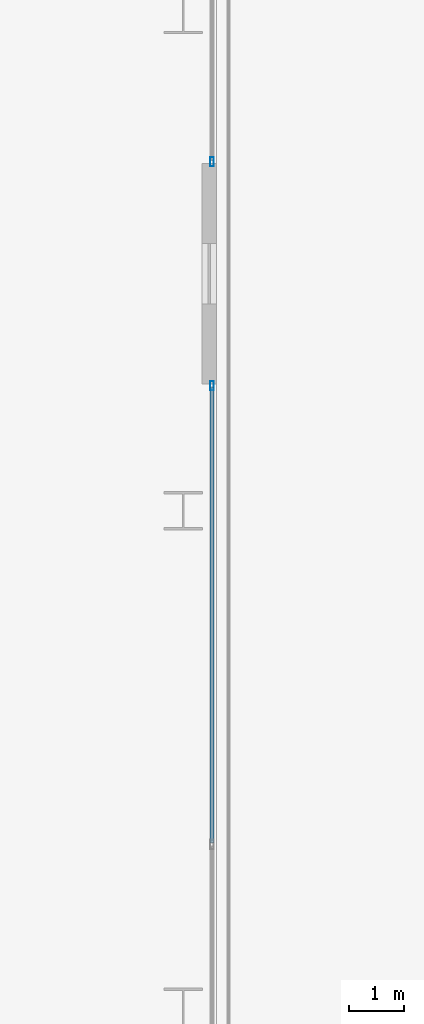
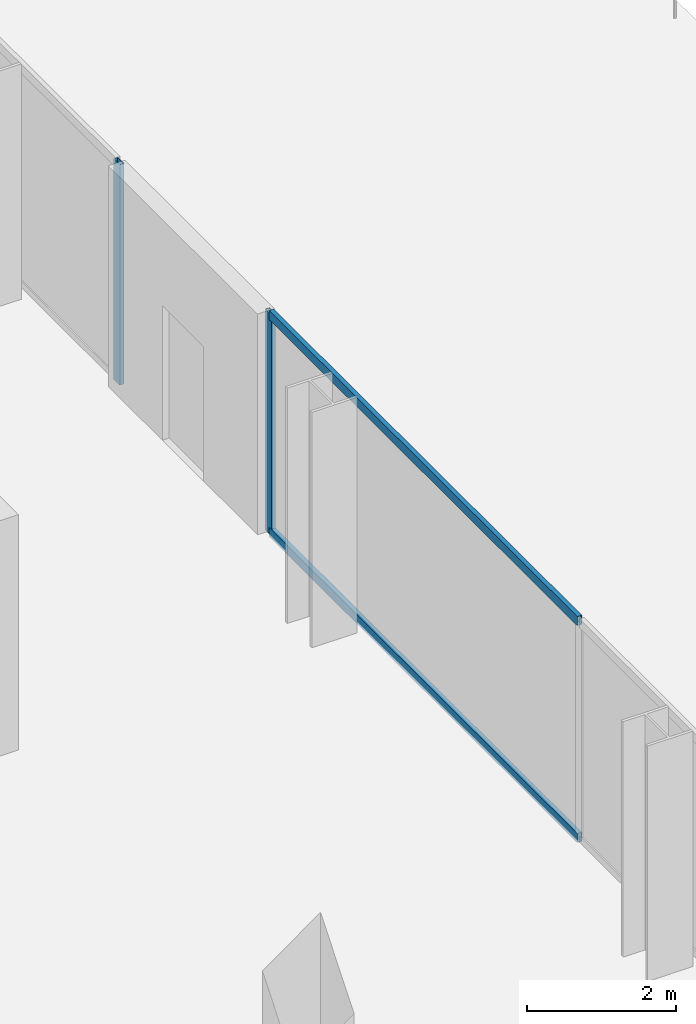
# One storey, part 19 of 31: 4 members, 2 elements without a shape of their own.
"""IFC4 building model written with IfcOpenShell, lengths in metres."""

from ifc_helpers import new_model, si_unit, direction, frame, origin, origin_2d, place, context, subcontext, project, spatial, hollow_rectangle, extrude, material, layer, layer_set, material_profile, profile_set, type_object, element, aggregate, save


model = new_model("IFC4")

# Units and contexts
model_context = context("Model", 3, precision=1e-05, world=origin(), true_north=direction((0.0, 1.0)))
body_context = subcontext(model_context, "Body", "Model", "MODEL_VIEW")
ifc_project = project(units=[si_unit("LENGTHUNIT", "METRE"), si_unit("AREAUNIT", "SQUARE_METRE"), si_unit("VOLUMEUNIT", "CUBIC_METRE"), si_unit("PLANEANGLEUNIT", "RADIAN"), si_unit("MASSUNIT", "GRAM", prefix="KILO")], contexts=[model_context])

# Site, building, storey
site_placement = place(None, origin())
site = spatial("IfcSite", under=ifc_project, at=site_placement, CompositionType="ELEMENT")
building_placement = place(site_placement, origin())
building = spatial("IfcBuilding", under=site, at=building_placement, Name="Maruvema Waterfront Hotel and Observation Tower", CompositionType="ELEMENT")
storey_placement = place(building_placement, frame((0.0, 0.0, 26.949951171875)))
storey = spatial("IfcBuildingStorey", under=building, at=storey_placement, Name="L05", CompositionType="ELEMENT", Elevation=26.949951171875)

# Curtain wall, members
ifc_material_1 = material(Name="Anodised bronze aluminium and solar-control low-E IGU", Category="aluminium")
ifc_layer = layer(ifc_material_1, 0.159912109375, Name="Zone 1 Bronze Inner Thermal Curtain Wall System CW-02")
ifc_layer_set = layer_set([ifc_layer], Name="Anodised bronze aluminium and solar-control low-E IGU")
curtain_wall_type = type_object("IfcCurtainWallType", Name="Zone 1 Bronze Inner Thermal Curtain Wall System CW-02", PredefinedType="USERDEFINED", material=ifc_layer_set)
curtain_wall_1_placement = place(storey_placement, origin())
curtain_wall_1 = element("IfcCurtainWall", 1, at=curtain_wall_1_placement, inside=storey, type_object=curtain_wall_type, Name="L05 Curtain Wall CW-L05-ES", ObjectType="UNITISED CURTAIN WALL", PredefinedType="USERDEFINED")
ifc_material_2 = material(Name="Anodised architectural bronze aluminium", Category="aluminium")
ifc_material_profile_1 = material_profile(ifc_material_2, hollow_rectangle(XDim=0.070068359375, YDim=0.14990234375, WallThickness=0.00390625, at=origin_2d()), Name="ALU-T70x150")
ifc_profile_set_1 = profile_set([ifc_material_profile_1], Name="Anodised architectural bronze aluminium")
member_type_1 = type_object("IfcMemberType", Name="Curtain Wall Horizontal Transom ALU-T70x150", PredefinedType="USERDEFINED", material=ifc_profile_set_1)
member_1_placement = place(storey_placement, frame((64.719970703125, 11.97998046875, 0.030029296875), z_axis=(0.0, 1.0, 0.0), x_axis=(-1.0, 0.0, 0.0)))
member_1 = element("IfcMember", 2, at=member_1_placement, type_object=member_type_1, Name="CW-02 transom 2.1", ObjectType="TRANSOM", PredefinedType="USERDEFINED", context=body_context, shape_type="SweptSolid", body=[
    extrude(hollow_rectangle(XDim=0.070068359375, YDim=0.14990234375, WallThickness=0.00390625, at=origin_2d()), origin(), (0.0, 0.0, 1.0), 8.260009765625),
])
member_2_placement = place(storey_placement, frame((64.719970703125, 11.97998046875, 3.580078125), z_axis=(0.0, 1.0, 0.0), x_axis=(-1.0, 0.0, 0.0)))
member_2 = element("IfcMember", 3, at=member_2_placement, type_object=member_type_1, Name="CW-02 transom 2.2", ObjectType="TRANSOM", PredefinedType="USERDEFINED", context=body_context, shape_type="SweptSolid", body=[
    extrude(hollow_rectangle(XDim=0.070068359375, YDim=0.14990234375, WallThickness=0.00390625, at=origin_2d()), origin(), (0.0, 0.0, 1.0), 8.260009765625),
])
ifc_material_3 = material(Name="Anodised architectural bronze aluminium", Category="aluminium")
ifc_material_profile_2 = material_profile(ifc_material_3, hollow_rectangle(XDim=0.06494140625, YDim=0.1650390625, WallThickness=0.00390625, at=origin_2d()), Name="ALU-M65x165")
ifc_profile_set_2 = profile_set([ifc_material_profile_2], Name="Anodised architectural bronze aluminium")
member_type_2 = type_object("IfcMemberType", Name="Curtain Wall Primary Mullion ALU-M65x165", PredefinedType="MULLION", material=ifc_profile_set_2)
member_3_placement = place(storey_placement, frame((64.719970703125, 20.27001953125, 0.0), z_axis=(0.0, 0.0, 1.0), x_axis=(-1.0, 0.0, 0.0)))
member_3 = element("IfcMember", 4, at=member_3_placement, type_object=member_type_2, Name="CW-02 mullion 3", PredefinedType="MULLION", context=body_context, shape_type="SweptSolid", body=[
    extrude(hollow_rectangle(XDim=0.06494140625, YDim=0.1650390625, WallThickness=0.00390625, at=origin_2d()), origin(), (0.0, 0.0, 1.0), 3.610107421875),
])
aggregate(curtain_wall_1, [member_3, member_1, member_2])

# Curtain wall, member
curtain_wall_2_placement = place(storey_placement, origin())
curtain_wall_2 = element("IfcCurtainWall", 5, at=curtain_wall_2_placement, inside=storey, type_object=curtain_wall_type, Name="L05 Curtain Wall CW-L05-EN", ObjectType="UNITISED CURTAIN WALL", PredefinedType="USERDEFINED")
member_4_placement = place(storey_placement, frame((64.719970703125, 24.330078125, 0.0), z_axis=(0.0, 0.0, 1.0), x_axis=(-1.0, 0.0, 0.0)))
member_4 = element("IfcMember", 6, at=member_4_placement, type_object=member_type_2, Name="CW-02 mullion 1", PredefinedType="MULLION", context=body_context, shape_type="SweptSolid", body=[
    extrude(hollow_rectangle(XDim=0.06494140625, YDim=0.1650390625, WallThickness=0.00390625, at=origin_2d()), origin(), (0.0, 0.0, 1.0), 3.610107421875),
])
aggregate(curtain_wall_2, [member_4])

save(model, "model.ifc")
